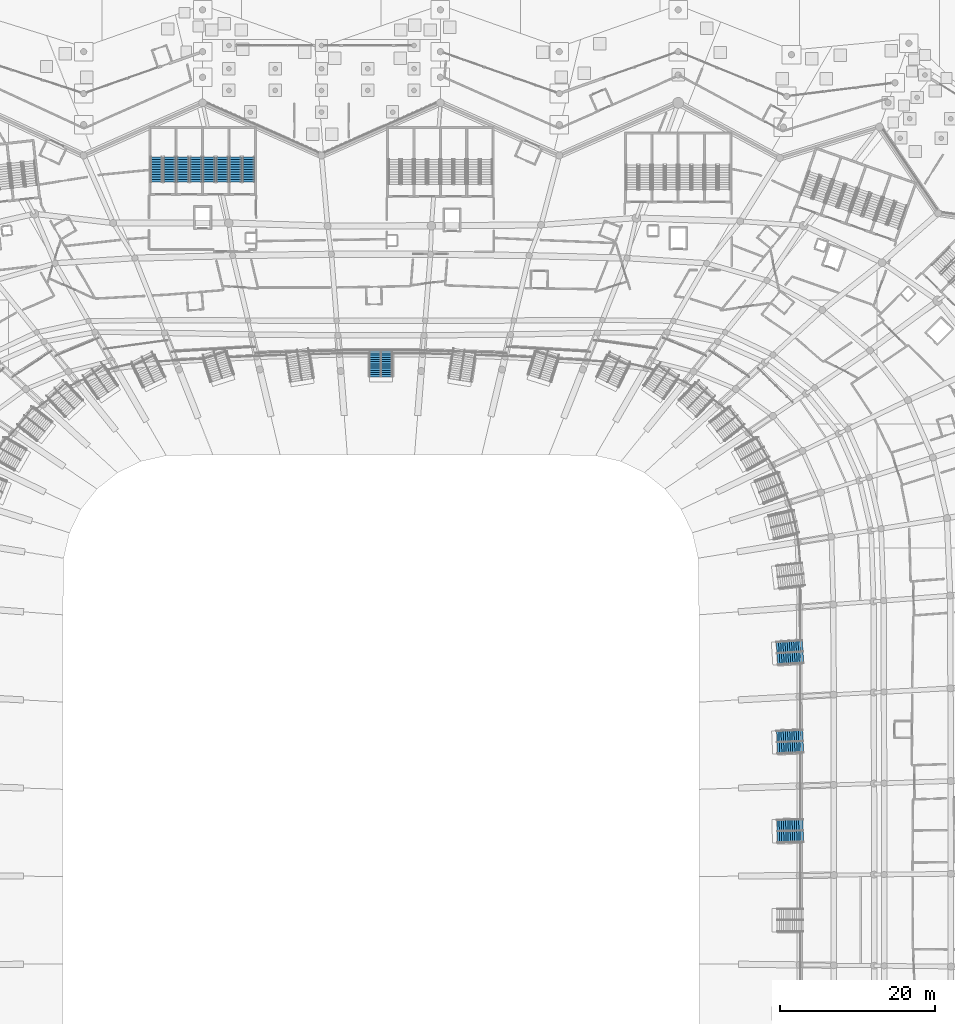
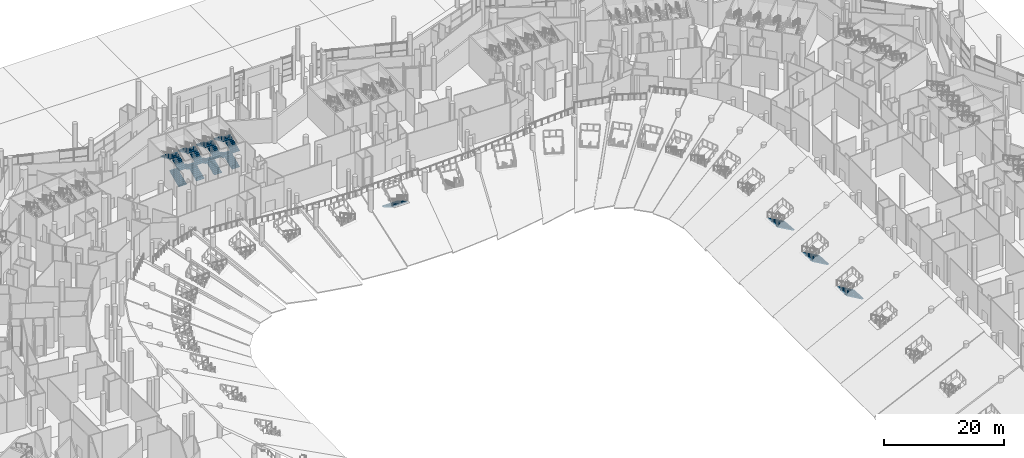
# One storey, part 176 of 255: 23 stair flights, 8 elements without a shape of their own.
"""IFC4 building model written with IfcOpenShell, lengths in metres."""

from ifc_helpers import new_model, si_unit, direction, frame, origin, place, context, subcontext, project, spatial, polyline, outline, extrude, material, type_object, element, aggregate, save


model = new_model("IFC4")

# Units and contexts
model_context = context("Model", 3, precision=1e-05, world=origin(), true_north=direction((0.0, 1.0)))
body_context = subcontext(model_context, "Body", "Model", "MODEL_VIEW")
ifc_project = project(units=[si_unit("LENGTHUNIT", "METRE"), si_unit("AREAUNIT", "SQUARE_METRE"), si_unit("VOLUMEUNIT", "CUBIC_METRE"), si_unit("PLANEANGLEUNIT", "RADIAN"), si_unit("MASSUNIT", "GRAM", prefix="KILO")], contexts=[model_context])

# Site, building, storey
site_placement = place(None, origin())
site = spatial("IfcSite", under=ifc_project, at=site_placement, CompositionType="ELEMENT")
building_placement = place(site_placement, origin())
building = spatial("IfcBuilding", under=site, at=building_placement, Name="Meseta Stadium", CompositionType="ELEMENT")
storey_placement = place(building_placement, origin())
storey = spatial("IfcBuildingStorey", under=building, at=storey_placement, Name="L00", CompositionType="ELEMENT", Elevation=0.0)

# Stair, stair flights
ifc_material_1 = material(Name="Concrete C40/50", Category="concrete")
stair_type_1 = type_object("IfcStairType", Name="Exit stair 4 flights 148 mm risers", PredefinedType="HALF_TURN_STAIR", material=ifc_material_1)
stair_1_placement = place(storey_placement, origin())
stair_1 = element("IfcStair", 1, at=stair_1_placement, inside=storey, type_object=stair_type_1, Name="ST41 L00", PredefinedType="HALF_TURN_STAIR")
ifc_material_2 = material(Name="Concrete C40/50", Category="concrete")
stair_flight_type_1 = type_object("IfcStairFlightType", Name="Exit stair flight 148 mm risers, 4 per storey", PredefinedType="STRAIGHT", material=ifc_material_2)
stair_flight_1_placement = place(storey_placement, frame((-17.050048828125, 95.199951171875, 0.0), z_axis=(0.0, 0.0, 1.0), x_axis=(0.0, 1.0, 0.0)))
stair_flight_1 = element("IfcStairFlight", 2, at=stair_flight_1_placement, type_object=stair_flight_type_1, Name="ST41 L00 flight 1", NumberOfRisers=11, NumberOfTreads=10, PredefinedType="STRAIGHT", RiserHeight=0.147727273, TreadLength=0.32, context=body_context, shape_type="SweptSolid", body=[
    extrude(outline(polyline([(0.0, 0.0), (0.0, 0.147705078125), (0.320068359375, 0.147705078125), (0.320068359375, 0.29541015625), (0.639892578125, 0.29541015625), (0.639892578125, 0.443115234375), (0.9599609375, 0.443115234375), (0.9599609375, 0.5908203125), (1.280029296875, 0.5908203125), (1.280029296875, 0.738525390625), (1.60009765625, 0.738525390625), (1.60009765625, 0.886474609375), (1.919921875, 0.886474609375), (1.919921875, 1.0341796875), (2.239990234375, 1.0341796875), (2.239990234375, 1.181884765625), (2.56005859375, 1.181884765625), (2.56005859375, 1.32958984375), (2.8798828125, 1.32958984375), (2.8798828125, 1.477294921875), (3.199951171875, 1.477294921875), (3.199951171875, 1.312255859375), (0.357666015625, 0.0), (0.0, 0.0)])), frame((0.0, 0.75, 0.0), z_axis=(0.0, -1.0, 0.0), x_axis=(1.0, 0.0, 0.0)), (0.0, 0.0, 1.0), 1.5),
])
stair_flight_2_placement = place(storey_placement, frame((-18.75, 98.39990234375, 1.625), z_axis=(0.0, 0.0, 1.0), x_axis=(0.0, -1.0, 0.0)))
stair_flight_2 = element("IfcStairFlight", 3, at=stair_flight_2_placement, type_object=stair_flight_type_1, Name="ST41 L00 flight 2", NumberOfRisers=11, NumberOfTreads=10, PredefinedType="STRAIGHT", RiserHeight=0.147727273, TreadLength=0.32, context=body_context, shape_type="SweptSolid", body=[
    extrude(outline(polyline([(0.0, 0.0), (0.0, 0.147705078125), (0.320068359375, 0.147705078125), (0.320068359375, 0.29541015625), (0.639892578125, 0.29541015625), (0.639892578125, 0.443115234375), (0.9599609375, 0.443115234375), (0.9599609375, 0.5908203125), (1.280029296875, 0.5908203125), (1.280029296875, 0.738525390625), (1.60009765625, 0.738525390625), (1.60009765625, 0.886474609375), (1.919921875, 0.886474609375), (1.919921875, 1.0341796875), (2.239990234375, 1.0341796875), (2.239990234375, 1.181884765625), (2.56005859375, 1.181884765625), (2.56005859375, 1.32958984375), (2.8798828125, 1.32958984375), (2.8798828125, 1.477294921875), (3.199951171875, 1.477294921875), (3.199951171875, 1.312255859375), (0.357666015625, 0.0), (0.0, 0.0)])), frame((0.0, 0.75, 0.0), z_axis=(0.0, -1.0, 0.0), x_axis=(1.0, 0.0, 0.0)), (0.0, 0.0, 1.0), 1.5),
])
stair_flight_3_placement = place(storey_placement, frame((-17.050048828125, 95.199951171875, 3.25), z_axis=(0.0, 0.0, 1.0), x_axis=(0.0, 1.0, 0.0)))
stair_flight_3 = element("IfcStairFlight", 4, at=stair_flight_3_placement, type_object=stair_flight_type_1, Name="ST41 L00 flight 3", NumberOfRisers=11, NumberOfTreads=10, PredefinedType="STRAIGHT", RiserHeight=0.147727273, TreadLength=0.32, context=body_context, shape_type="SweptSolid", body=[
    extrude(outline(polyline([(0.0, 0.0), (0.0, 0.147705078125), (0.320068359375, 0.147705078125), (0.320068359375, 0.29541015625), (0.639892578125, 0.29541015625), (0.639892578125, 0.443115234375), (0.9599609375, 0.443115234375), (0.9599609375, 0.5908203125), (1.280029296875, 0.5908203125), (1.280029296875, 0.738525390625), (1.60009765625, 0.738525390625), (1.60009765625, 0.886474609375), (1.919921875, 0.886474609375), (1.919921875, 1.0341796875), (2.239990234375, 1.0341796875), (2.239990234375, 1.181884765625), (2.56005859375, 1.181884765625), (2.56005859375, 1.32958984375), (2.8798828125, 1.32958984375), (2.8798828125, 1.477294921875), (3.199951171875, 1.477294921875), (3.199951171875, 1.312255859375), (0.357666015625, 0.0), (0.0, 0.0)])), frame((0.0, 0.75, 0.0), z_axis=(0.0, -1.0, 0.0), x_axis=(1.0, 0.0, 0.0)), (0.0, 0.0, 1.0), 1.5),
])
stair_flight_4_placement = place(storey_placement, frame((-18.75, 98.39990234375, 4.875), z_axis=(0.0, 0.0, 1.0), x_axis=(0.0, -1.0, 0.0)))
stair_flight_4 = element("IfcStairFlight", 5, at=stair_flight_4_placement, type_object=stair_flight_type_1, Name="ST41 L00 flight 4", NumberOfRisers=11, NumberOfTreads=10, PredefinedType="STRAIGHT", RiserHeight=0.147727273, TreadLength=0.32, context=body_context, shape_type="SweptSolid", body=[
    extrude(outline(polyline([(0.0, 0.0), (0.0, 0.147705078125), (0.320068359375, 0.147705078125), (0.320068359375, 0.29541015625), (0.639892578125, 0.29541015625), (0.639892578125, 0.443115234375), (0.9599609375, 0.443115234375), (0.9599609375, 0.5908203125), (1.280029296875, 0.5908203125), (1.280029296875, 0.738525390625), (1.60009765625, 0.738525390625), (1.60009765625, 0.886474609375), (1.919921875, 0.886474609375), (1.919921875, 1.0341796875), (2.239990234375, 1.0341796875), (2.239990234375, 1.181884765625), (2.56005859375, 1.181884765625), (2.56005859375, 1.32958984375), (2.8798828125, 1.32958984375), (2.8798828125, 1.477294921875), (3.199951171875, 1.477294921875), (3.199951171875, 1.312255859375), (0.357666015625, 0.0), (0.0, 0.0)])), frame((0.0, 0.75, 0.0), z_axis=(0.0, -1.0, 0.0), x_axis=(1.0, 0.0, 0.0)), (0.0, 0.0, 1.0), 1.5),
])
aggregate(stair_1, [stair_flight_1, stair_flight_2, stair_flight_3, stair_flight_4])

stair_2_placement = place(storey_placement, origin())
stair_2 = element("IfcStair", 6, at=stair_2_placement, inside=storey, type_object=stair_type_1, Name="ST42 L00", PredefinedType="HALF_TURN_STAIR")
stair_flight_5_placement = place(storey_placement, frame((-20.449951171875, 95.199951171875, 0.0), z_axis=(0.0, 0.0, 1.0), x_axis=(0.0, 1.0, 0.0)))
stair_flight_5 = element("IfcStairFlight", 7, at=stair_flight_5_placement, type_object=stair_flight_type_1, Name="ST42 L00 flight 1", NumberOfRisers=11, NumberOfTreads=10, PredefinedType="STRAIGHT", RiserHeight=0.147727273, TreadLength=0.32, context=body_context, shape_type="SweptSolid", body=[
    extrude(outline(polyline([(0.0, 0.0), (0.0, 0.147705078125), (0.320068359375, 0.147705078125), (0.320068359375, 0.29541015625), (0.639892578125, 0.29541015625), (0.639892578125, 0.443115234375), (0.9599609375, 0.443115234375), (0.9599609375, 0.5908203125), (1.280029296875, 0.5908203125), (1.280029296875, 0.738525390625), (1.60009765625, 0.738525390625), (1.60009765625, 0.886474609375), (1.919921875, 0.886474609375), (1.919921875, 1.0341796875), (2.239990234375, 1.0341796875), (2.239990234375, 1.181884765625), (2.56005859375, 1.181884765625), (2.56005859375, 1.32958984375), (2.8798828125, 1.32958984375), (2.8798828125, 1.477294921875), (3.199951171875, 1.477294921875), (3.199951171875, 1.312255859375), (0.357666015625, 0.0), (0.0, 0.0)])), frame((0.0, 0.75, 0.0), z_axis=(0.0, -1.0, 0.0), x_axis=(1.0, 0.0, 0.0)), (0.0, 0.0, 1.0), 1.5),
])
stair_flight_6_placement = place(storey_placement, frame((-22.14990234375, 98.39990234375, 1.625), z_axis=(0.0, 0.0, 1.0), x_axis=(0.0, -1.0, 0.0)))
stair_flight_6 = element("IfcStairFlight", 8, at=stair_flight_6_placement, type_object=stair_flight_type_1, Name="ST42 L00 flight 2", NumberOfRisers=11, NumberOfTreads=10, PredefinedType="STRAIGHT", RiserHeight=0.147727273, TreadLength=0.32, context=body_context, shape_type="SweptSolid", body=[
    extrude(outline(polyline([(0.0, 0.0), (0.0, 0.147705078125), (0.320068359375, 0.147705078125), (0.320068359375, 0.29541015625), (0.639892578125, 0.29541015625), (0.639892578125, 0.443115234375), (0.9599609375, 0.443115234375), (0.9599609375, 0.5908203125), (1.280029296875, 0.5908203125), (1.280029296875, 0.738525390625), (1.60009765625, 0.738525390625), (1.60009765625, 0.886474609375), (1.919921875, 0.886474609375), (1.919921875, 1.0341796875), (2.239990234375, 1.0341796875), (2.239990234375, 1.181884765625), (2.56005859375, 1.181884765625), (2.56005859375, 1.32958984375), (2.8798828125, 1.32958984375), (2.8798828125, 1.477294921875), (3.199951171875, 1.477294921875), (3.199951171875, 1.312255859375), (0.357666015625, 0.0), (0.0, 0.0)])), frame((0.0, 0.75, 0.0), z_axis=(0.0, -1.0, 0.0), x_axis=(1.0, 0.0, 0.0)), (0.0, 0.0, 1.0), 1.5),
])
stair_flight_7_placement = place(storey_placement, frame((-20.449951171875, 95.199951171875, 3.25), z_axis=(0.0, 0.0, 1.0), x_axis=(0.0, 1.0, 0.0)))
stair_flight_7 = element("IfcStairFlight", 9, at=stair_flight_7_placement, type_object=stair_flight_type_1, Name="ST42 L00 flight 3", NumberOfRisers=11, NumberOfTreads=10, PredefinedType="STRAIGHT", RiserHeight=0.147727273, TreadLength=0.32, context=body_context, shape_type="SweptSolid", body=[
    extrude(outline(polyline([(0.0, 0.0), (0.0, 0.147705078125), (0.320068359375, 0.147705078125), (0.320068359375, 0.29541015625), (0.639892578125, 0.29541015625), (0.639892578125, 0.443115234375), (0.9599609375, 0.443115234375), (0.9599609375, 0.5908203125), (1.280029296875, 0.5908203125), (1.280029296875, 0.738525390625), (1.60009765625, 0.738525390625), (1.60009765625, 0.886474609375), (1.919921875, 0.886474609375), (1.919921875, 1.0341796875), (2.239990234375, 1.0341796875), (2.239990234375, 1.181884765625), (2.56005859375, 1.181884765625), (2.56005859375, 1.32958984375), (2.8798828125, 1.32958984375), (2.8798828125, 1.477294921875), (3.199951171875, 1.477294921875), (3.199951171875, 1.312255859375), (0.357666015625, 0.0), (0.0, 0.0)])), frame((0.0, 0.75, 0.0), z_axis=(0.0, -1.0, 0.0), x_axis=(1.0, 0.0, 0.0)), (0.0, 0.0, 1.0), 1.5),
])
stair_flight_8_placement = place(storey_placement, frame((-22.14990234375, 98.39990234375, 4.875), z_axis=(0.0, 0.0, 1.0), x_axis=(0.0, -1.0, 0.0)))
stair_flight_8 = element("IfcStairFlight", 10, at=stair_flight_8_placement, type_object=stair_flight_type_1, Name="ST42 L00 flight 4", NumberOfRisers=11, NumberOfTreads=10, PredefinedType="STRAIGHT", RiserHeight=0.147727273, TreadLength=0.32, context=body_context, shape_type="SweptSolid", body=[
    extrude(outline(polyline([(0.0, 0.0), (0.0, 0.147705078125), (0.320068359375, 0.147705078125), (0.320068359375, 0.29541015625), (0.639892578125, 0.29541015625), (0.639892578125, 0.443115234375), (0.9599609375, 0.443115234375), (0.9599609375, 0.5908203125), (1.280029296875, 0.5908203125), (1.280029296875, 0.738525390625), (1.60009765625, 0.738525390625), (1.60009765625, 0.886474609375), (1.919921875, 0.886474609375), (1.919921875, 1.0341796875), (2.239990234375, 1.0341796875), (2.239990234375, 1.181884765625), (2.56005859375, 1.181884765625), (2.56005859375, 1.32958984375), (2.8798828125, 1.32958984375), (2.8798828125, 1.477294921875), (3.199951171875, 1.477294921875), (3.199951171875, 1.312255859375), (0.357666015625, 0.0), (0.0, 0.0)])), frame((0.0, 0.75, 0.0), z_axis=(0.0, -1.0, 0.0), x_axis=(1.0, 0.0, 0.0)), (0.0, 0.0, 1.0), 1.5),
])
aggregate(stair_2, [stair_flight_5, stair_flight_6, stair_flight_7, stair_flight_8])

stair_3_placement = place(storey_placement, origin())
stair_3 = element("IfcStair", 11, at=stair_3_placement, inside=storey, type_object=stair_type_1, Name="ST43 L00", PredefinedType="HALF_TURN_STAIR")
stair_flight_9_placement = place(storey_placement, frame((-23.85009765625, 95.199951171875, 0.0), z_axis=(0.0, 0.0, 1.0), x_axis=(0.0, 1.0, 0.0)))
stair_flight_9 = element("IfcStairFlight", 12, at=stair_flight_9_placement, type_object=stair_flight_type_1, Name="ST43 L00 flight 1", NumberOfRisers=11, NumberOfTreads=10, PredefinedType="STRAIGHT", RiserHeight=0.147727273, TreadLength=0.32, context=body_context, shape_type="SweptSolid", body=[
    extrude(outline(polyline([(0.0, 0.0), (0.0, 0.147705078125), (0.320068359375, 0.147705078125), (0.320068359375, 0.29541015625), (0.639892578125, 0.29541015625), (0.639892578125, 0.443115234375), (0.9599609375, 0.443115234375), (0.9599609375, 0.5908203125), (1.280029296875, 0.5908203125), (1.280029296875, 0.738525390625), (1.60009765625, 0.738525390625), (1.60009765625, 0.886474609375), (1.919921875, 0.886474609375), (1.919921875, 1.0341796875), (2.239990234375, 1.0341796875), (2.239990234375, 1.181884765625), (2.56005859375, 1.181884765625), (2.56005859375, 1.32958984375), (2.8798828125, 1.32958984375), (2.8798828125, 1.477294921875), (3.199951171875, 1.477294921875), (3.199951171875, 1.312255859375), (0.357666015625, 0.0), (0.0, 0.0)])), frame((0.0, 0.75, 0.0), z_axis=(0.0, -1.0, 0.0), x_axis=(1.0, 0.0, 0.0)), (0.0, 0.0, 1.0), 1.5),
])
stair_flight_10_placement = place(storey_placement, frame((-25.550048828125, 98.39990234375, 1.625), z_axis=(0.0, 0.0, 1.0), x_axis=(0.0, -1.0, 0.0)))
stair_flight_10 = element("IfcStairFlight", 13, at=stair_flight_10_placement, type_object=stair_flight_type_1, Name="ST43 L00 flight 2", NumberOfRisers=11, NumberOfTreads=10, PredefinedType="STRAIGHT", RiserHeight=0.147727273, TreadLength=0.32, context=body_context, shape_type="SweptSolid", body=[
    extrude(outline(polyline([(0.0, 0.0), (0.0, 0.147705078125), (0.320068359375, 0.147705078125), (0.320068359375, 0.29541015625), (0.639892578125, 0.29541015625), (0.639892578125, 0.443115234375), (0.9599609375, 0.443115234375), (0.9599609375, 0.5908203125), (1.280029296875, 0.5908203125), (1.280029296875, 0.738525390625), (1.60009765625, 0.738525390625), (1.60009765625, 0.886474609375), (1.919921875, 0.886474609375), (1.919921875, 1.0341796875), (2.239990234375, 1.0341796875), (2.239990234375, 1.181884765625), (2.56005859375, 1.181884765625), (2.56005859375, 1.32958984375), (2.8798828125, 1.32958984375), (2.8798828125, 1.477294921875), (3.199951171875, 1.477294921875), (3.199951171875, 1.312255859375), (0.357666015625, 0.0), (0.0, 0.0)])), frame((0.0, 0.75, 0.0), z_axis=(0.0, -1.0, 0.0), x_axis=(1.0, 0.0, 0.0)), (0.0, 0.0, 1.0), 1.5),
])
stair_flight_11_placement = place(storey_placement, frame((-23.85009765625, 95.199951171875, 3.25), z_axis=(0.0, 0.0, 1.0), x_axis=(0.0, 1.0, 0.0)))
stair_flight_11 = element("IfcStairFlight", 14, at=stair_flight_11_placement, type_object=stair_flight_type_1, Name="ST43 L00 flight 3", NumberOfRisers=11, NumberOfTreads=10, PredefinedType="STRAIGHT", RiserHeight=0.147727273, TreadLength=0.32, context=body_context, shape_type="SweptSolid", body=[
    extrude(outline(polyline([(0.0, 0.0), (0.0, 0.147705078125), (0.320068359375, 0.147705078125), (0.320068359375, 0.29541015625), (0.639892578125, 0.29541015625), (0.639892578125, 0.443115234375), (0.9599609375, 0.443115234375), (0.9599609375, 0.5908203125), (1.280029296875, 0.5908203125), (1.280029296875, 0.738525390625), (1.60009765625, 0.738525390625), (1.60009765625, 0.886474609375), (1.919921875, 0.886474609375), (1.919921875, 1.0341796875), (2.239990234375, 1.0341796875), (2.239990234375, 1.181884765625), (2.56005859375, 1.181884765625), (2.56005859375, 1.32958984375), (2.8798828125, 1.32958984375), (2.8798828125, 1.477294921875), (3.199951171875, 1.477294921875), (3.199951171875, 1.312255859375), (0.357666015625, 0.0), (0.0, 0.0)])), frame((0.0, 0.75, 0.0), z_axis=(0.0, -1.0, 0.0), x_axis=(1.0, 0.0, 0.0)), (0.0, 0.0, 1.0), 1.5),
])
stair_flight_12_placement = place(storey_placement, frame((-25.550048828125, 98.39990234375, 4.875), z_axis=(0.0, 0.0, 1.0), x_axis=(0.0, -1.0, 0.0)))
stair_flight_12 = element("IfcStairFlight", 15, at=stair_flight_12_placement, type_object=stair_flight_type_1, Name="ST43 L00 flight 4", NumberOfRisers=11, NumberOfTreads=10, PredefinedType="STRAIGHT", RiserHeight=0.147727273, TreadLength=0.32, context=body_context, shape_type="SweptSolid", body=[
    extrude(outline(polyline([(0.0, 0.0), (0.0, 0.147705078125), (0.320068359375, 0.147705078125), (0.320068359375, 0.29541015625), (0.639892578125, 0.29541015625), (0.639892578125, 0.443115234375), (0.9599609375, 0.443115234375), (0.9599609375, 0.5908203125), (1.280029296875, 0.5908203125), (1.280029296875, 0.738525390625), (1.60009765625, 0.738525390625), (1.60009765625, 0.886474609375), (1.919921875, 0.886474609375), (1.919921875, 1.0341796875), (2.239990234375, 1.0341796875), (2.239990234375, 1.181884765625), (2.56005859375, 1.181884765625), (2.56005859375, 1.32958984375), (2.8798828125, 1.32958984375), (2.8798828125, 1.477294921875), (3.199951171875, 1.477294921875), (3.199951171875, 1.312255859375), (0.357666015625, 0.0), (0.0, 0.0)])), frame((0.0, 0.75, 0.0), z_axis=(0.0, -1.0, 0.0), x_axis=(1.0, 0.0, 0.0)), (0.0, 0.0, 1.0), 1.5),
])
aggregate(stair_3, [stair_flight_9, stair_flight_10, stair_flight_11, stair_flight_12])

stair_4_placement = place(storey_placement, origin())
stair_4 = element("IfcStair", 16, at=stair_4_placement, inside=storey, type_object=stair_type_1, Name="ST44 L00", PredefinedType="HALF_TURN_STAIR")
stair_flight_13_placement = place(storey_placement, frame((-27.25, 95.199951171875, 0.0), z_axis=(0.0, 0.0, 1.0), x_axis=(0.0, 1.0, 0.0)))
stair_flight_13 = element("IfcStairFlight", 17, at=stair_flight_13_placement, type_object=stair_flight_type_1, Name="ST44 L00 flight 1", NumberOfRisers=11, NumberOfTreads=10, PredefinedType="STRAIGHT", RiserHeight=0.147727273, TreadLength=0.32, context=body_context, shape_type="SweptSolid", body=[
    extrude(outline(polyline([(0.0, 0.0), (0.0, 0.147705078125), (0.320068359375, 0.147705078125), (0.320068359375, 0.29541015625), (0.639892578125, 0.29541015625), (0.639892578125, 0.443115234375), (0.9599609375, 0.443115234375), (0.9599609375, 0.5908203125), (1.280029296875, 0.5908203125), (1.280029296875, 0.738525390625), (1.60009765625, 0.738525390625), (1.60009765625, 0.886474609375), (1.919921875, 0.886474609375), (1.919921875, 1.0341796875), (2.239990234375, 1.0341796875), (2.239990234375, 1.181884765625), (2.56005859375, 1.181884765625), (2.56005859375, 1.32958984375), (2.8798828125, 1.32958984375), (2.8798828125, 1.477294921875), (3.199951171875, 1.477294921875), (3.199951171875, 1.312255859375), (0.357666015625, 0.0), (0.0, 0.0)])), frame((0.0, 0.75, 0.0), z_axis=(0.0, -1.0, 0.0), x_axis=(1.0, 0.0, 0.0)), (0.0, 0.0, 1.0), 1.5),
])
stair_flight_14_placement = place(storey_placement, frame((-27.25, 95.199951171875, 3.25), z_axis=(0.0, 0.0, 1.0), x_axis=(0.0, 1.0, 0.0)))
stair_flight_14 = element("IfcStairFlight", 18, at=stair_flight_14_placement, type_object=stair_flight_type_1, Name="ST44 L00 flight 3", NumberOfRisers=11, NumberOfTreads=10, PredefinedType="STRAIGHT", RiserHeight=0.147727273, TreadLength=0.32, context=body_context, shape_type="SweptSolid", body=[
    extrude(outline(polyline([(0.0, 0.0), (0.0, 0.147705078125), (0.320068359375, 0.147705078125), (0.320068359375, 0.29541015625), (0.639892578125, 0.29541015625), (0.639892578125, 0.443115234375), (0.9599609375, 0.443115234375), (0.9599609375, 0.5908203125), (1.280029296875, 0.5908203125), (1.280029296875, 0.738525390625), (1.60009765625, 0.738525390625), (1.60009765625, 0.886474609375), (1.919921875, 0.886474609375), (1.919921875, 1.0341796875), (2.239990234375, 1.0341796875), (2.239990234375, 1.181884765625), (2.56005859375, 1.181884765625), (2.56005859375, 1.32958984375), (2.8798828125, 1.32958984375), (2.8798828125, 1.477294921875), (3.199951171875, 1.477294921875), (3.199951171875, 1.312255859375), (0.357666015625, 0.0), (0.0, 0.0)])), frame((0.0, 0.75, 0.0), z_axis=(0.0, -1.0, 0.0), x_axis=(1.0, 0.0, 0.0)), (0.0, 0.0, 1.0), 1.5),
])
stair_flight_15_placement = place(storey_placement, frame((-28.949951171875, 98.39990234375, 4.875), z_axis=(0.0, 0.0, 1.0), x_axis=(0.0, -1.0, 0.0)))
stair_flight_15 = element("IfcStairFlight", 19, at=stair_flight_15_placement, type_object=stair_flight_type_1, Name="ST44 L00 flight 4", NumberOfRisers=11, NumberOfTreads=10, PredefinedType="STRAIGHT", RiserHeight=0.147727273, TreadLength=0.32, context=body_context, shape_type="SweptSolid", body=[
    extrude(outline(polyline([(0.0, 0.0), (0.0, 0.147705078125), (0.320068359375, 0.147705078125), (0.320068359375, 0.29541015625), (0.639892578125, 0.29541015625), (0.639892578125, 0.443115234375), (0.9599609375, 0.443115234375), (0.9599609375, 0.5908203125), (1.280029296875, 0.5908203125), (1.280029296875, 0.738525390625), (1.60009765625, 0.738525390625), (1.60009765625, 0.886474609375), (1.919921875, 0.886474609375), (1.919921875, 1.0341796875), (2.239990234375, 1.0341796875), (2.239990234375, 1.181884765625), (2.56005859375, 1.181884765625), (2.56005859375, 1.32958984375), (2.8798828125, 1.32958984375), (2.8798828125, 1.477294921875), (3.199951171875, 1.477294921875), (3.199951171875, 1.312255859375), (0.357666015625, 0.0), (0.0, 0.0)])), frame((0.0, 0.75, 0.0), z_axis=(0.0, -1.0, 0.0), x_axis=(1.0, 0.0, 0.0)), (0.0, 0.0, 1.0), 1.5),
])
aggregate(stair_4, [stair_flight_13, stair_flight_14, stair_flight_15])

ifc_material_3 = material(Name="Concrete C40/50", Category="concrete")
stair_type_2 = type_object("IfcStairType", Name="Vomitory stair 3000", PredefinedType="STRAIGHT_RUN_STAIR", material=ifc_material_3)
stair_5_placement = place(storey_placement, origin())
stair_5 = element("IfcStair", 20, at=stair_5_placement, inside=storey, type_object=stair_type_2, Name="Vomitory V-lower-06", PredefinedType="STRAIGHT_RUN_STAIR")
ifc_material_4 = material(Name="Concrete C40/50", Category="concrete")
stair_flight_type_2 = type_object("IfcStairFlightType", Name="Vomitory stair flight 1450", PredefinedType="STRAIGHT", material=ifc_material_4)
stair_flight_16_placement = place(storey_placement, frame((54.47314453125, 10.770263671875, 0.0), z_axis=(0.0, 0.0, 1.0), x_axis=(-0.999759622364, -0.021924814479, 0.0)))
stair_flight_16 = element("IfcStairFlight", 21, at=stair_flight_16_placement, type_object=stair_flight_type_2, Name="Vomitory V-lower-06 flight 1", NumberOfRisers=13, NumberOfTreads=12, PredefinedType="STRAIGHT", RiserHeight=0.165438, TreadLength=0.28, context=body_context, shape_type="SweptSolid", body=[
    extrude(outline(polyline([(0.0, 0.0), (0.0, 0.16552734375), (0.280029296875, 0.16552734375), (0.280029296875, 0.330810546875), (0.56005859375, 0.330810546875), (0.56005859375, 0.496337890625), (0.840087890625, 0.496337890625), (0.840087890625, 0.661865234375), (1.1201171875, 0.661865234375), (1.1201171875, 0.8271484375), (1.39990234375, 0.8271484375), (1.39990234375, 0.99267578125), (1.679931640625, 0.99267578125), (1.679931640625, 1.157958984375), (1.9599609375, 1.157958984375), (1.9599609375, 1.323486328125), (2.239990234375, 1.323486328125), (2.239990234375, 1.489013671875), (2.52001953125, 1.489013671875), (2.52001953125, 1.654296875), (2.800048828125, 1.654296875), (2.800048828125, 1.81982421875), (3.080078125, 1.81982421875), (3.080078125, 1.9853515625), (3.360107421875, 1.9853515625), (3.360107421875, 1.81103515625), (0.294677734375, 0.0), (0.0, 0.0)])), frame((0.0, 0.72509765625, 0.0), z_axis=(0.0, -1.0, 0.0), x_axis=(1.0, 0.0, 0.0)), (0.0, 0.0, 1.0), 1.449951171875),
])
stair_flight_17_placement = place(storey_placement, frame((54.439208984375, 12.31982421875, 0.0), z_axis=(0.0, 0.0, 1.0), x_axis=(-0.999759622364, -0.021924814479, 0.0)))
stair_flight_17 = element("IfcStairFlight", 22, at=stair_flight_17_placement, type_object=stair_flight_type_2, Name="Vomitory V-lower-06 flight 2", NumberOfRisers=13, NumberOfTreads=12, PredefinedType="STRAIGHT", RiserHeight=0.165438, TreadLength=0.28, context=body_context, shape_type="SweptSolid", body=[
    extrude(outline(polyline([(0.0, 0.0), (0.0, 0.16552734375), (0.280029296875, 0.16552734375), (0.280029296875, 0.330810546875), (0.56005859375, 0.330810546875), (0.56005859375, 0.496337890625), (0.840087890625, 0.496337890625), (0.840087890625, 0.661865234375), (1.1201171875, 0.661865234375), (1.1201171875, 0.8271484375), (1.39990234375, 0.8271484375), (1.39990234375, 0.99267578125), (1.679931640625, 0.99267578125), (1.679931640625, 1.157958984375), (1.9599609375, 1.157958984375), (1.9599609375, 1.323486328125), (2.239990234375, 1.323486328125), (2.239990234375, 1.489013671875), (2.52001953125, 1.489013671875), (2.52001953125, 1.654296875), (2.800048828125, 1.654296875), (2.800048828125, 1.81982421875), (3.080078125, 1.81982421875), (3.080078125, 1.9853515625), (3.360107421875, 1.9853515625), (3.360107421875, 1.81103515625), (0.294677734375, 0.0), (0.0, 0.0)])), frame((0.0, 0.72509765625, 0.0), z_axis=(0.0, -1.0, 0.0), x_axis=(1.0, 0.0, 0.0)), (0.0, 0.0, 1.0), 1.449951171875),
])
aggregate(stair_5, [stair_flight_16, stair_flight_17])

stair_6_placement = place(storey_placement, origin())
stair_6 = element("IfcStair", 23, at=stair_6_placement, inside=storey, type_object=stair_type_2, Name="Vomitory V-lower-07", PredefinedType="STRAIGHT_RUN_STAIR")
stair_flight_18_placement = place(storey_placement, frame((54.48046875, 22.3154296875, 0.0), z_axis=(0.0, 0.0, 1.0), x_axis=(-0.999039522965, -0.043818164662, 0.0)))
stair_flight_18 = element("IfcStairFlight", 24, at=stair_flight_18_placement, type_object=stair_flight_type_2, Name="Vomitory V-lower-07 flight 1", NumberOfRisers=13, NumberOfTreads=12, PredefinedType="STRAIGHT", RiserHeight=0.165438, TreadLength=0.28, context=body_context, shape_type="SweptSolid", body=[
    extrude(outline(polyline([(0.0, 0.0), (0.0, 0.16552734375), (0.280029296875, 0.16552734375), (0.280029296875, 0.330810546875), (0.56005859375, 0.330810546875), (0.56005859375, 0.496337890625), (0.840087890625, 0.496337890625), (0.840087890625, 0.661865234375), (1.1201171875, 0.661865234375), (1.1201171875, 0.8271484375), (1.39990234375, 0.8271484375), (1.39990234375, 0.99267578125), (1.679931640625, 0.99267578125), (1.679931640625, 1.157958984375), (1.9599609375, 1.157958984375), (1.9599609375, 1.323486328125), (2.239990234375, 1.323486328125), (2.239990234375, 1.489013671875), (2.52001953125, 1.489013671875), (2.52001953125, 1.654296875), (2.800048828125, 1.654296875), (2.800048828125, 1.81982421875), (3.080078125, 1.81982421875), (3.080078125, 1.9853515625), (3.360107421875, 1.9853515625), (3.360107421875, 1.81103515625), (0.294677734375, 0.0), (0.0, 0.0)])), frame((0.0, 0.72509765625, 0.0), z_axis=(0.0, -1.0, 0.0), x_axis=(1.0, 0.0, 0.0)), (0.0, 0.0, 1.0), 1.449951171875),
])
stair_flight_19_placement = place(storey_placement, frame((54.41259765625, 23.864013671875, 0.0), z_axis=(0.0, 0.0, 1.0), x_axis=(-0.999039522965, -0.043818164662, 0.0)))
stair_flight_19 = element("IfcStairFlight", 25, at=stair_flight_19_placement, type_object=stair_flight_type_2, Name="Vomitory V-lower-07 flight 2", NumberOfRisers=13, NumberOfTreads=12, PredefinedType="STRAIGHT", RiserHeight=0.165438, TreadLength=0.28, context=body_context, shape_type="SweptSolid", body=[
    extrude(outline(polyline([(0.0, 0.0), (0.0, 0.16552734375), (0.280029296875, 0.16552734375), (0.280029296875, 0.330810546875), (0.56005859375, 0.330810546875), (0.56005859375, 0.496337890625), (0.840087890625, 0.496337890625), (0.840087890625, 0.661865234375), (1.1201171875, 0.661865234375), (1.1201171875, 0.8271484375), (1.39990234375, 0.8271484375), (1.39990234375, 0.99267578125), (1.679931640625, 0.99267578125), (1.679931640625, 1.157958984375), (1.9599609375, 1.157958984375), (1.9599609375, 1.323486328125), (2.239990234375, 1.323486328125), (2.239990234375, 1.489013671875), (2.52001953125, 1.489013671875), (2.52001953125, 1.654296875), (2.800048828125, 1.654296875), (2.800048828125, 1.81982421875), (3.080078125, 1.81982421875), (3.080078125, 1.9853515625), (3.360107421875, 1.9853515625), (3.360107421875, 1.81103515625), (0.294677734375, 0.0), (0.0, 0.0)])), frame((0.0, 0.72509765625, 0.0), z_axis=(0.0, -1.0, 0.0), x_axis=(1.0, 0.0, 0.0)), (0.0, 0.0, 1.0), 1.449951171875),
])
aggregate(stair_6, [stair_flight_18, stair_flight_19])

stair_7_placement = place(storey_placement, origin())
stair_7 = element("IfcStair", 26, at=stair_7_placement, inside=storey, type_object=stair_type_2, Name="Vomitory V-lower-08", PredefinedType="STRAIGHT_RUN_STAIR")
stair_flight_20_placement = place(storey_placement, frame((54.481201171875, 33.860107421875, 0.0), z_axis=(0.0, 0.0, 1.0), x_axis=(-0.997842912451, -0.065646950207, 0.0)))
stair_flight_20 = element("IfcStairFlight", 27, at=stair_flight_20_placement, type_object=stair_flight_type_2, Name="Vomitory V-lower-08 flight 1", NumberOfRisers=13, NumberOfTreads=12, PredefinedType="STRAIGHT", RiserHeight=0.165438, TreadLength=0.28, context=body_context, shape_type="SweptSolid", body=[
    extrude(outline(polyline([(0.0, 0.0), (0.0, 0.16552734375), (0.280029296875, 0.16552734375), (0.280029296875, 0.330810546875), (0.56005859375, 0.330810546875), (0.56005859375, 0.496337890625), (0.840087890625, 0.496337890625), (0.840087890625, 0.661865234375), (1.1201171875, 0.661865234375), (1.1201171875, 0.8271484375), (1.39990234375, 0.8271484375), (1.39990234375, 0.99267578125), (1.679931640625, 0.99267578125), (1.679931640625, 1.157958984375), (1.9599609375, 1.157958984375), (1.9599609375, 1.323486328125), (2.239990234375, 1.323486328125), (2.239990234375, 1.489013671875), (2.52001953125, 1.489013671875), (2.52001953125, 1.654296875), (2.800048828125, 1.654296875), (2.800048828125, 1.81982421875), (3.080078125, 1.81982421875), (3.080078125, 1.9853515625), (3.360107421875, 1.9853515625), (3.360107421875, 1.81103515625), (0.294677734375, 0.0), (0.0, 0.0)])), frame((0.0, 0.72509765625, 0.0), z_axis=(0.0, -1.0, 0.0), x_axis=(1.0, 0.0, 0.0)), (0.0, 0.0, 1.0), 1.449951171875),
])
stair_flight_21_placement = place(storey_placement, frame((54.37939453125, 35.40673828125, 0.0), z_axis=(0.0, 0.0, 1.0), x_axis=(-0.997842912451, -0.065646950207, 0.0)))
stair_flight_21 = element("IfcStairFlight", 28, at=stair_flight_21_placement, type_object=stair_flight_type_2, Name="Vomitory V-lower-08 flight 2", NumberOfRisers=13, NumberOfTreads=12, PredefinedType="STRAIGHT", RiserHeight=0.165438, TreadLength=0.28, context=body_context, shape_type="SweptSolid", body=[
    extrude(outline(polyline([(0.0, 0.0), (0.0, 0.16552734375), (0.280029296875, 0.16552734375), (0.280029296875, 0.330810546875), (0.56005859375, 0.330810546875), (0.56005859375, 0.496337890625), (0.840087890625, 0.496337890625), (0.840087890625, 0.661865234375), (1.1201171875, 0.661865234375), (1.1201171875, 0.8271484375), (1.39990234375, 0.8271484375), (1.39990234375, 0.99267578125), (1.679931640625, 0.99267578125), (1.679931640625, 1.157958984375), (1.9599609375, 1.157958984375), (1.9599609375, 1.323486328125), (2.239990234375, 1.323486328125), (2.239990234375, 1.489013671875), (2.52001953125, 1.489013671875), (2.52001953125, 1.654296875), (2.800048828125, 1.654296875), (2.800048828125, 1.81982421875), (3.080078125, 1.81982421875), (3.080078125, 1.9853515625), (3.360107421875, 1.9853515625), (3.360107421875, 1.81103515625), (0.294677734375, 0.0), (0.0, 0.0)])), frame((0.0, 0.72509765625, 0.0), z_axis=(0.0, -1.0, 0.0), x_axis=(1.0, 0.0, 0.0)), (0.0, 0.0, 1.0), 1.449951171875),
])
aggregate(stair_7, [stair_flight_20, stair_flight_21])

stair_8_placement = place(storey_placement, origin())
stair_8 = element("IfcStair", 29, at=stair_8_placement, inside=storey, type_object=stair_type_2, Name="Vomitory V-lower-19", PredefinedType="STRAIGHT_RUN_STAIR")
stair_flight_22_placement = place(storey_placement, frame((0.77490234375, 73.42822265625, 0.0), z_axis=(0.0, 0.0, 1.0), x_axis=(0.0, -1.0, 0.0)))
stair_flight_22 = element("IfcStairFlight", 30, at=stair_flight_22_placement, type_object=stair_flight_type_2, Name="Vomitory V-lower-19 flight 1", NumberOfRisers=13, NumberOfTreads=12, PredefinedType="STRAIGHT", RiserHeight=0.16422, TreadLength=0.28, context=body_context, shape_type="SweptSolid", body=[
    extrude(outline(polyline([(0.0, 0.0), (0.0, 0.164306640625), (0.280029296875, 0.164306640625), (0.280029296875, 0.328369140625), (0.56005859375, 0.328369140625), (0.56005859375, 0.49267578125), (0.840087890625, 0.49267578125), (0.840087890625, 0.656982421875), (1.1201171875, 0.656982421875), (1.1201171875, 0.821044921875), (1.39990234375, 0.821044921875), (1.39990234375, 0.9853515625), (1.679931640625, 0.9853515625), (1.679931640625, 1.149658203125), (1.9599609375, 1.149658203125), (1.9599609375, 1.313720703125), (2.239990234375, 1.313720703125), (2.239990234375, 1.47802734375), (2.52001953125, 1.47802734375), (2.52001953125, 1.64208984375), (2.800048828125, 1.64208984375), (2.800048828125, 1.806396484375), (3.080078125, 1.806396484375), (3.080078125, 1.970703125), (3.360107421875, 1.970703125), (3.360107421875, 1.796875), (0.29638671875, 0.0), (0.0, 0.0)])), frame((0.0, 0.72509765625, 0.0), z_axis=(0.0, -1.0, 0.0), x_axis=(1.0, 0.0, 0.0)), (0.0, 0.0, 1.0), 1.449951171875),
])
stair_flight_23_placement = place(storey_placement, frame((-0.77490234375, 73.42822265625, 0.0), z_axis=(0.0, 0.0, 1.0), x_axis=(0.0, -1.0, 0.0)))
stair_flight_23 = element("IfcStairFlight", 31, at=stair_flight_23_placement, type_object=stair_flight_type_2, Name="Vomitory V-lower-19 flight 2", NumberOfRisers=13, NumberOfTreads=12, PredefinedType="STRAIGHT", RiserHeight=0.16422, TreadLength=0.28, context=body_context, shape_type="SweptSolid", body=[
    extrude(outline(polyline([(0.0, 0.0), (0.0, 0.164306640625), (0.280029296875, 0.164306640625), (0.280029296875, 0.328369140625), (0.56005859375, 0.328369140625), (0.56005859375, 0.49267578125), (0.840087890625, 0.49267578125), (0.840087890625, 0.656982421875), (1.1201171875, 0.656982421875), (1.1201171875, 0.821044921875), (1.39990234375, 0.821044921875), (1.39990234375, 0.9853515625), (1.679931640625, 0.9853515625), (1.679931640625, 1.149658203125), (1.9599609375, 1.149658203125), (1.9599609375, 1.313720703125), (2.239990234375, 1.313720703125), (2.239990234375, 1.47802734375), (2.52001953125, 1.47802734375), (2.52001953125, 1.64208984375), (2.800048828125, 1.64208984375), (2.800048828125, 1.806396484375), (3.080078125, 1.806396484375), (3.080078125, 1.970703125), (3.360107421875, 1.970703125), (3.360107421875, 1.796875), (0.29638671875, 0.0), (0.0, 0.0)])), frame((0.0, 0.72509765625, 0.0), z_axis=(0.0, -1.0, 0.0), x_axis=(1.0, 0.0, 0.0)), (0.0, 0.0, 1.0), 1.449951171875),
])
aggregate(stair_8, [stair_flight_22, stair_flight_23])

save(model, "model.ifc")
